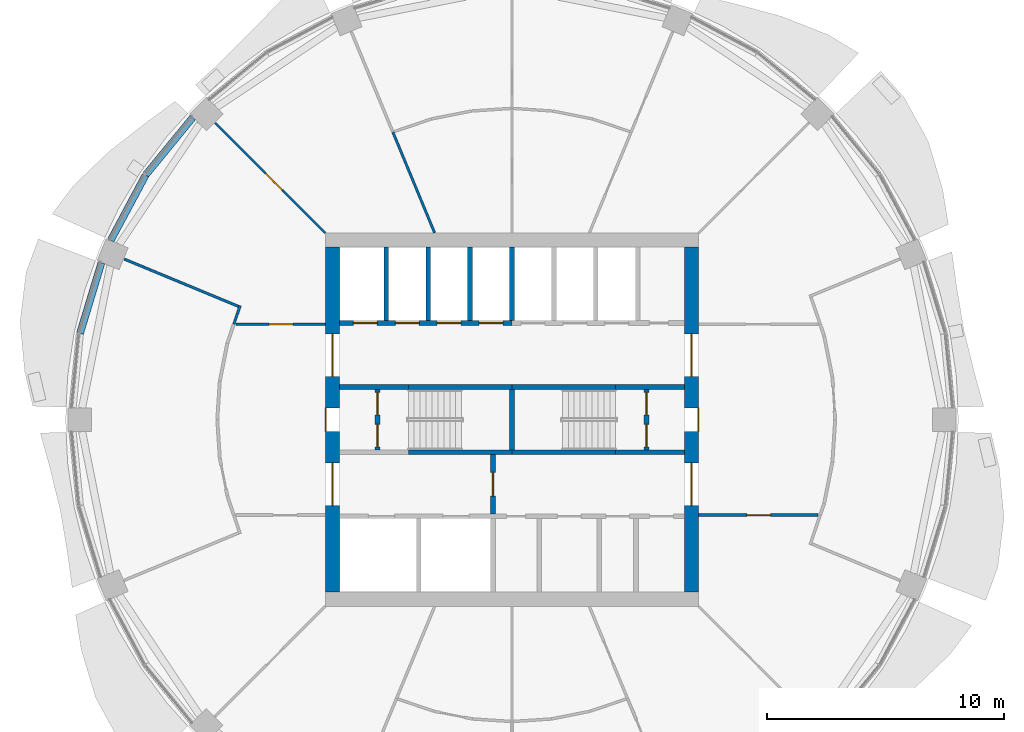
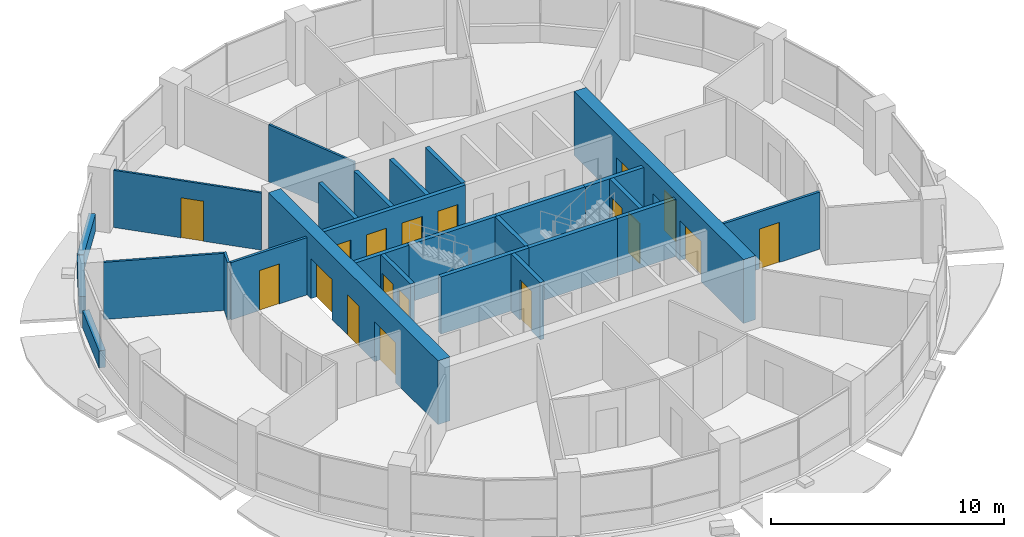
# One storey, part 9 of 15: 27 walls, 18 doors, 18 openings.
"""IFC4 building model written with IfcOpenShell, lengths in metres."""

from ifc_helpers import new_model, si_unit, direction, frame, frame_2d, origin, place, context, subcontext, project, spatial, rectangle, extrude, material, layer, layer_set, type_object, element, fill, save


model = new_model("IFC4")

# Units and contexts
model_context = context("Model", 3, precision=1e-05, world=origin(), true_north=direction((0.0, 1.0)))
body_context = subcontext(model_context, "Body", "Model", "MODEL_VIEW")
ifc_project = project(units=[si_unit("LENGTHUNIT", "METRE"), si_unit("AREAUNIT", "SQUARE_METRE"), si_unit("VOLUMEUNIT", "CUBIC_METRE"), si_unit("PLANEANGLEUNIT", "RADIAN"), si_unit("MASSUNIT", "GRAM", prefix="KILO")], contexts=[model_context])

# Site, building, storey
site_placement = place(None, origin())
site = spatial("IfcSite", under=ifc_project, at=site_placement, CompositionType="ELEMENT")
building_placement = place(site_placement, origin())
building = spatial("IfcBuilding", under=site, at=building_placement, Name="Polderwave Tower", CompositionType="ELEMENT")
storey_placement = place(building_placement, frame((0.0, 0.0, 157.800048828125)))
storey = spatial("IfcBuildingStorey", under=building, at=storey_placement, Name="L42", CompositionType="ELEMENT", Elevation=157.800048828125)

# Wall, openings, doors
ifc_material_1 = material(Name="Concrete C60/75", Category="concrete")
ifc_layer_1 = layer(ifc_material_1, 0.60009765625)
ifc_layer_set_1 = layer_set([ifc_layer_1], Name="CORE WALL 600 C60/75")
wall_type_1 = type_object("IfcWallType", Name="CORE WALL 600 C60/75", PredefinedType="SHEAR", material=ifc_layer_set_1)
wall_1_placement = place(storey_placement, frame((-7.573974609375, -7.27392578125, 0.0), z_axis=(0.0, 0.0, 1.0), x_axis=(0.0, 1.0, 0.0)))
wall_1 = element("IfcWall", 1, at=wall_1_placement, inside=storey, type_object=wall_type_1, Name="ST-CORE-L42-W", PredefinedType="SHEAR", context=body_context, shape_type="SweptSolid", body=[
    extrude(rectangle(XDim=14.5478515625, YDim=0.60009765625, at=frame_2d((7.27392578125, 0.0))), origin(), (0.0, 0.0, 1.0), 3.349853515625),
])
opening_1_placement = place(wall_1_placement, frame((6.77392578125, 0.0, 0.0)))
opening_1 = element("IfcOpeningElement", 2, at=opening_1_placement, cuts=wall_1, Name="Opening L42-D20", PredefinedType="OPENING", context=body_context, shape_type="SweptSolid", body=[
    extrude(rectangle(XDim=1.0, YDim=2.10009765625, at=frame_2d((0.5, 1.050048828125))), frame((0.0, 0.31005859375, 0.0), z_axis=(0.0, -1.0, 0.0), x_axis=(1.0, 0.0, 0.0)), (0.0, 0.0, 1.0), 0.6201171875),
])
opening_2_placement = place(wall_1_placement, frame((3.6494140625, 0.0, 0.0)))
opening_2 = element("IfcOpeningElement", 3, at=opening_2_placement, cuts=wall_1, Name="Opening L42-D21", PredefinedType="OPENING", context=body_context, shape_type="SweptSolid", body=[
    extrude(rectangle(XDim=1.800048828125, YDim=2.10009765625, at=frame_2d((0.89990234375, 1.050048828125))), frame((0.0, 0.31005859375, 0.0), z_axis=(0.0, -1.0, 0.0), x_axis=(1.0, 0.0, 0.0)), (0.0, 0.0, 1.0), 0.6201171875),
])
opening_3_placement = place(wall_1_placement, frame((9.098388671875, 0.0, 0.0)))
opening_3 = element("IfcOpeningElement", 4, at=opening_3_placement, cuts=wall_1, Name="Opening L42-D22", PredefinedType="OPENING", context=body_context, shape_type="SweptSolid", body=[
    extrude(rectangle(XDim=1.800048828125, YDim=2.10009765625, at=frame_2d((0.89990234375, 1.050048828125))), frame((0.0, 0.31005859375, 0.0), z_axis=(0.0, -1.0, 0.0), x_axis=(1.0, 0.0, 0.0)), (0.0, 0.0, 1.0), 0.6201171875),
])
ifc_material_2 = material(Name="Steel fire door", Category="steel")
door_type_1 = type_object("IfcDoorType", Name="Lobby entry door pair 1800", OperationType="DOUBLE_DOOR_SINGLE_SWING", PredefinedType="DOOR", material=ifc_material_2)
door_1_placement = place(opening_2_placement, origin())
door_1 = element("IfcDoor", 5, at=door_1_placement, inside=storey, type_object=door_type_1, Name="Fire-fighting lobby entry door", OperationType="DOUBLE_DOOR_SINGLE_SWING", OverallHeight=2.10009765625, OverallWidth=1.800048828125, PredefinedType="DOOR", context=body_context, shape_type="SweptSolid", body=[
    extrude(rectangle(XDim=1.800048828125, YDim=2.10009765625, at=frame_2d((0.89990234375, 1.050048828125))), frame((0.0, 0.02490234375, 0.0), z_axis=(0.0, -1.0, 0.0), x_axis=(1.0, 0.0, 0.0)), (0.0, 0.0, 1.0), 0.050048828125),
])
fill(opening_2, door_1)
door_2_placement = place(opening_3_placement, origin())
door_2 = element("IfcDoor", 6, at=door_2_placement, inside=storey, type_object=door_type_1, Name="North lobby entry door", OperationType="DOUBLE_DOOR_SINGLE_SWING", OverallHeight=2.10009765625, OverallWidth=1.800048828125, PredefinedType="DOOR", context=body_context, shape_type="SweptSolid", body=[
    extrude(rectangle(XDim=1.800048828125, YDim=2.10009765625, at=frame_2d((0.89990234375, 1.050048828125))), frame((0.0, 0.02490234375, 0.0), z_axis=(0.0, -1.0, 0.0), x_axis=(1.0, 0.0, 0.0)), (0.0, 0.0, 1.0), 0.050048828125),
])
fill(opening_3, door_2)
door_type_2 = type_object("IfcDoorType", Name="Stair door 1000", OperationType="NOTDEFINED", PredefinedType="DOOR", material=ifc_material_2)
door_3_placement = place(opening_1_placement, origin())
door_3 = element("IfcDoor", 7, at=door_3_placement, inside=storey, type_object=door_type_2, Name="Stair A entry door", OperationType="SINGLE_SWING_RIGHT", OverallHeight=2.10009765625, OverallWidth=1.0, PredefinedType="DOOR", context=body_context, shape_type="SweptSolid", body=[
    extrude(rectangle(XDim=1.0, YDim=2.10009765625, at=frame_2d((0.5, 1.050048828125))), frame((0.0, 0.2998046875, 0.0), z_axis=(0.0, -1.0, 0.0), x_axis=(1.0, 0.0, 0.0)), (0.0, 0.0, 1.0), 0.050048828125),
])
fill(opening_1, door_3)

wall_2_placement = place(storey_placement, frame((7.573974609375, -7.27392578125, 0.0), z_axis=(0.0, 0.0, 1.0), x_axis=(0.0, 1.0, 0.0)))
wall_2 = element("IfcWall", 8, at=wall_2_placement, inside=storey, type_object=wall_type_1, Name="ST-CORE-L42-E", PredefinedType="SHEAR", context=body_context, shape_type="SweptSolid", body=[
    extrude(rectangle(XDim=14.5478515625, YDim=0.60009765625, at=frame_2d((7.27392578125, 0.0))), origin(), (0.0, 0.0, 1.0), 3.349853515625),
])
opening_4_placement = place(wall_2_placement, frame((6.77392578125, 0.0, 0.0)))
opening_4 = element("IfcOpeningElement", 9, at=opening_4_placement, cuts=wall_2, Name="Opening L42-D23", PredefinedType="OPENING", context=body_context, shape_type="SweptSolid", body=[
    extrude(rectangle(XDim=1.0, YDim=2.10009765625, at=frame_2d((0.5, 1.050048828125))), frame((0.0, 0.31005859375, 0.0), z_axis=(0.0, -1.0, 0.0), x_axis=(1.0, 0.0, 0.0)), (0.0, 0.0, 1.0), 0.6201171875),
])
opening_5_placement = place(wall_2_placement, frame((3.6494140625, 0.0, 0.0)))
opening_5 = element("IfcOpeningElement", 10, at=opening_5_placement, cuts=wall_2, Name="Opening L42-D24", PredefinedType="OPENING", context=body_context, shape_type="SweptSolid", body=[
    extrude(rectangle(XDim=1.800048828125, YDim=2.10009765625, at=frame_2d((0.89990234375, 1.050048828125))), frame((0.0, 0.31005859375, 0.0), z_axis=(0.0, -1.0, 0.0), x_axis=(1.0, 0.0, 0.0)), (0.0, 0.0, 1.0), 0.6201171875),
])
opening_6_placement = place(wall_2_placement, frame((9.098388671875, 0.0, 0.0)))
opening_6 = element("IfcOpeningElement", 11, at=opening_6_placement, cuts=wall_2, Name="Opening L42-D25", PredefinedType="OPENING", context=body_context, shape_type="SweptSolid", body=[
    extrude(rectangle(XDim=1.800048828125, YDim=2.10009765625, at=frame_2d((0.89990234375, 1.050048828125))), frame((0.0, 0.31005859375, 0.0), z_axis=(0.0, -1.0, 0.0), x_axis=(1.0, 0.0, 0.0)), (0.0, 0.0, 1.0), 0.6201171875),
])
door_4_placement = place(opening_5_placement, frame((1.800048828125, 0.0, 0.0), z_axis=(0.0, 0.0, 1.0), x_axis=(-1.0, 0.0, 0.0)))
door_4 = element("IfcDoor", 12, at=door_4_placement, inside=storey, type_object=door_type_1, Name="South lobby entry door", OperationType="DOUBLE_DOOR_SINGLE_SWING", OverallHeight=2.10009765625, OverallWidth=1.800048828125, PredefinedType="DOOR", context=body_context, shape_type="SweptSolid", body=[
    extrude(rectangle(XDim=1.800048828125, YDim=2.10009765625, at=frame_2d((0.89990234375, 1.050048828125))), frame((0.0, 0.02490234375, 0.0), z_axis=(0.0, -1.0, 0.0), x_axis=(1.0, 0.0, 0.0)), (0.0, 0.0, 1.0), 0.050048828125),
])
fill(opening_5, door_4)
door_5_placement = place(opening_6_placement, frame((1.800048828125, 0.0, 0.0), z_axis=(0.0, 0.0, 1.0), x_axis=(-1.0, 0.0, 0.0)))
door_5 = element("IfcDoor", 13, at=door_5_placement, inside=storey, type_object=door_type_1, Name="North lobby entry door", OperationType="DOUBLE_DOOR_SINGLE_SWING", OverallHeight=2.10009765625, OverallWidth=1.800048828125, PredefinedType="DOOR", context=body_context, shape_type="SweptSolid", body=[
    extrude(rectangle(XDim=1.800048828125, YDim=2.10009765625, at=frame_2d((0.89990234375, 1.050048828125))), frame((0.0, 0.02490234375, 0.0), z_axis=(0.0, -1.0, 0.0), x_axis=(1.0, 0.0, 0.0)), (0.0, 0.0, 1.0), 0.050048828125),
])
fill(opening_6, door_5)
door_6_placement = place(opening_4_placement, frame((1.0, 0.0, 0.0), z_axis=(0.0, 0.0, 1.0), x_axis=(-1.0, 0.0, 0.0)))
door_6 = element("IfcDoor", 14, at=door_6_placement, inside=storey, type_object=door_type_2, Name="Stair B entry door", OperationType="SINGLE_SWING_LEFT", OverallHeight=2.10009765625, OverallWidth=1.0, PredefinedType="DOOR", context=body_context, shape_type="SweptSolid", body=[
    extrude(rectangle(XDim=1.0, YDim=2.10009765625, at=frame_2d((0.5, 1.050048828125))), frame((0.0, 0.2998046875, 0.0), z_axis=(0.0, -1.0, 0.0), x_axis=(1.0, 0.0, 0.0)), (0.0, 0.0, 1.0), 0.050048828125),
])
fill(opening_4, door_6)

# Walls
ifc_material_3 = material(Name="Concrete C50/60 (board-marked)", Category="concrete")
ifc_layer_2 = layer(ifc_material_3, 0.300048828125)
ifc_layer_set_2 = layer_set([ifc_layer_2], Name="Concrete spandrel upstand C50/60")
wall_type_2 = type_object("IfcWallType", Name="Concrete spandrel upstand C50/60", PredefinedType="SOLIDWALL", material=ifc_layer_set_2)
wall_3_placement = place(storey_placement, frame((-13.465576171875, 12.739501953125, 0.0), z_axis=(0.0, 0.0, 1.0), x_axis=(-0.634074896441, -0.773271637721, 0.0)))
element("IfcWall", 15, at=wall_3_placement, inside=storey, type_object=wall_type_2, Name="Spandrel L42 7a", PredefinedType="SOLIDWALL", context=body_context, shape_type="SweptSolid", body=[
    extrude(rectangle(XDim=3.111572265625, YDim=0.300048828125, at=frame_2d((1.5556640625, 0.0))), origin(), (0.0, 0.0, 1.0), 0.89990234375),
])
wall_4_placement = place(storey_placement, frame((-15.455078125, 10.308837890625, 0.0), z_axis=(0.0, 0.0, 1.0), x_axis=(-0.471467771589, -0.881883291798, 0.0)))
element("IfcWall", 16, at=wall_4_placement, inside=storey, type_object=wall_type_2, Name="Spandrel L42 7b", PredefinedType="SOLIDWALL", context=body_context, shape_type="SweptSolid", body=[
    extrude(rectangle(XDim=3.111083984375, YDim=0.300048828125, at=frame_2d((1.5556640625, 0.0))), origin(), (0.0, 0.0, 1.0), 0.89990234375),
])
wall_5_placement = place(storey_placement, frame((-17.3154296875, 6.61669921875, 0.0), z_axis=(0.0, 0.0, 1.0), x_axis=(-0.29026219948, -0.956947154002, 0.0)))
element("IfcWall", 17, at=wall_5_placement, inside=storey, type_object=wall_type_2, Name="Spandrel L42 8a", PredefinedType="SOLIDWALL", context=body_context, shape_type="SweptSolid", body=[
    extrude(rectangle(XDim=3.111328125, YDim=0.300048828125, at=frame_2d((1.5556640625, 0.0))), origin(), (0.0, 0.0, 1.0), 0.89990234375),
])

# Wall, opening, door
ifc_material_4 = material(Name="Gypsum board partition")
ifc_layer_3 = layer(ifc_material_4, 0.199951171875)
ifc_layer_set_3 = layer_set([ifc_layer_3], Name="Core room partition 200")
wall_type_3 = type_object("IfcWallType", Name="Core room partition 200", PredefinedType="PARTITIONING", material=ifc_layer_set_3)
wall_6_placement = place(storey_placement, frame((-0.800048828125, -3.97412109375, 0.0), z_axis=(0.0, 0.0, 1.0), x_axis=(0.0, 1.0, 0.0)))
wall_6 = element("IfcWall", 18, at=wall_6_placement, inside=storey, type_object=wall_type_3, Name="L42 fire-fighting lobby wall", PredefinedType="PARTITIONING", context=body_context, shape_type="SweptSolid", body=[
    extrude(rectangle(XDim=2.4990234375, YDim=0.199951171875, at=frame_2d((1.24951171875, 0.0))), origin(), (0.0, 0.0, 1.0), 3.0),
])
opening_7_placement = place(wall_6_placement, frame((0.74951171875, 0.0, 0.0)))
opening_7 = element("IfcOpeningElement", 19, at=opening_7_placement, cuts=wall_6, Name="Opening L42-D14", PredefinedType="OPENING", context=body_context, shape_type="SweptSolid", body=[
    extrude(rectangle(XDim=1.0, YDim=2.10009765625, at=frame_2d((0.5, 1.050048828125))), frame((0.0, 0.10986328125, 0.0), z_axis=(0.0, -1.0, 0.0), x_axis=(1.0, 0.0, 0.0)), (0.0, 0.0, 1.0), 0.219970703125),
])
door_type_3 = type_object("IfcDoorType", Name="Lobby fire door 1000", OperationType="NOTDEFINED", PredefinedType="DOOR", material=ifc_material_2)
door_7_placement = place(opening_7_placement, frame((1.0, 0.0, 0.0), z_axis=(0.0, 0.0, 1.0), x_axis=(-1.0, 0.0, 0.0)))
door_7 = element("IfcDoor", 20, at=door_7_placement, inside=storey, type_object=door_type_3, Name="Fire-fighting lobby door", OperationType="SINGLE_SWING_LEFT", OverallHeight=2.10009765625, OverallWidth=1.0, PredefinedType="DOOR", context=body_context, shape_type="SweptSolid", body=[
    extrude(rectangle(XDim=1.0, YDim=2.10009765625, at=frame_2d((0.5, 1.050048828125))), frame((0.0, 0.02490234375, 0.0), z_axis=(0.0, -1.0, 0.0), x_axis=(1.0, 0.0, 0.0)), (0.0, 0.0, 1.0), 0.050048828125),
])
fill(opening_7, door_7)

# Wall, openings, doors
wall_7_placement = place(storey_placement, frame((-5.674072265625, -1.27490234375, 0.0), z_axis=(0.0, 0.0, 1.0), x_axis=(0.0, 1.0, 0.0)))
wall_7 = element("IfcWall", 21, at=wall_7_placement, inside=storey, type_object=wall_type_3, Name="L42 smoke lobby wall A", PredefinedType="PARTITIONING", context=body_context, shape_type="SweptSolid", body=[
    extrude(rectangle(XDim=2.5498046875, YDim=0.199951171875, at=frame_2d((1.27490234375, 0.0))), origin(), (0.0, 0.0, 1.0), 3.0),
])
opening_8_placement = place(wall_7_placement, frame((0.125, 0.0, 0.0)))
opening_8 = element("IfcOpeningElement", 22, at=opening_8_placement, cuts=wall_7, Name="Opening L42-D10", PredefinedType="OPENING", context=body_context, shape_type="SweptSolid", body=[
    extrude(rectangle(XDim=0.949951171875, YDim=2.10009765625, at=frame_2d((0.47509765625, 1.050048828125))), frame((0.0, 0.10986328125, 0.0), z_axis=(0.0, -1.0, 0.0), x_axis=(1.0, 0.0, 0.0)), (0.0, 0.0, 1.0), 0.219970703125),
])
opening_9_placement = place(wall_7_placement, frame((1.47509765625, 0.0, 0.0)))
opening_9 = element("IfcOpeningElement", 23, at=opening_9_placement, cuts=wall_7, Name="Opening L42-D11", PredefinedType="OPENING", context=body_context, shape_type="SweptSolid", body=[
    extrude(rectangle(XDim=0.949951171875, YDim=2.10009765625, at=frame_2d((0.47509765625, 1.050048828125))), frame((0.0, 0.10986328125, 0.0), z_axis=(0.0, -1.0, 0.0), x_axis=(1.0, 0.0, 0.0)), (0.0, 0.0, 1.0), 0.219970703125),
])
door_type_4 = type_object("IfcDoorType", Name="Smoke lobby door 950", OperationType="NOTDEFINED", PredefinedType="DOOR", material=ifc_material_2)
door_8_placement = place(opening_8_placement, origin())
door_8 = element("IfcDoor", 24, at=door_8_placement, inside=storey, type_object=door_type_4, Name="Stair A smoke lobby inner door", OperationType="SINGLE_SWING_LEFT", OverallHeight=2.10009765625, OverallWidth=0.949951171875, PredefinedType="DOOR", context=body_context, shape_type="SweptSolid", body=[
    extrude(rectangle(XDim=0.949951171875, YDim=2.10009765625, at=frame_2d((0.47509765625, 1.050048828125))), frame((0.0, 0.02490234375, 0.0), z_axis=(0.0, -1.0, 0.0), x_axis=(1.0, 0.0, 0.0)), (0.0, 0.0, 1.0), 0.050048828125),
])
fill(opening_8, door_8)
door_9_placement = place(opening_9_placement, origin())
door_9 = element("IfcDoor", 25, at=door_9_placement, inside=storey, type_object=door_type_4, Name="Stair A smoke lobby inner door", OperationType="SINGLE_SWING_RIGHT", OverallHeight=2.10009765625, OverallWidth=0.949951171875, PredefinedType="DOOR", context=body_context, shape_type="SweptSolid", body=[
    extrude(rectangle(XDim=0.949951171875, YDim=2.10009765625, at=frame_2d((0.47509765625, 1.050048828125))), frame((0.0, 0.02490234375, 0.0), z_axis=(0.0, -1.0, 0.0), x_axis=(1.0, 0.0, 0.0)), (0.0, 0.0, 1.0), 0.050048828125),
])
fill(opening_9, door_9)

wall_8_placement = place(storey_placement, frame((5.674072265625, -1.27490234375, 0.0), z_axis=(0.0, 0.0, 1.0), x_axis=(0.0, 1.0, 0.0)))
wall_8 = element("IfcWall", 26, at=wall_8_placement, inside=storey, type_object=wall_type_3, Name="L42 smoke lobby wall B", PredefinedType="PARTITIONING", context=body_context, shape_type="SweptSolid", body=[
    extrude(rectangle(XDim=2.5498046875, YDim=0.199951171875, at=frame_2d((1.27490234375, 0.0))), origin(), (0.0, 0.0, 1.0), 3.0),
])
opening_10_placement = place(wall_8_placement, frame((0.125, 0.0, 0.0)))
opening_10 = element("IfcOpeningElement", 27, at=opening_10_placement, cuts=wall_8, Name="Opening L42-D12", PredefinedType="OPENING", context=body_context, shape_type="SweptSolid", body=[
    extrude(rectangle(XDim=0.949951171875, YDim=2.10009765625, at=frame_2d((0.47509765625, 1.050048828125))), frame((0.0, 0.10986328125, 0.0), z_axis=(0.0, -1.0, 0.0), x_axis=(1.0, 0.0, 0.0)), (0.0, 0.0, 1.0), 0.219970703125),
])
opening_11_placement = place(wall_8_placement, frame((1.47509765625, 0.0, 0.0)))
opening_11 = element("IfcOpeningElement", 28, at=opening_11_placement, cuts=wall_8, Name="Opening L42-D13", PredefinedType="OPENING", context=body_context, shape_type="SweptSolid", body=[
    extrude(rectangle(XDim=0.949951171875, YDim=2.10009765625, at=frame_2d((0.47509765625, 1.050048828125))), frame((0.0, 0.10986328125, 0.0), z_axis=(0.0, -1.0, 0.0), x_axis=(1.0, 0.0, 0.0)), (0.0, 0.0, 1.0), 0.219970703125),
])
door_10_placement = place(opening_10_placement, frame((0.949951171875, 0.0, 0.0), z_axis=(0.0, 0.0, 1.0), x_axis=(-1.0, 0.0, 0.0)))
door_10 = element("IfcDoor", 29, at=door_10_placement, inside=storey, type_object=door_type_4, Name="Stair B smoke lobby inner door", OperationType="SINGLE_SWING_RIGHT", OverallHeight=2.10009765625, OverallWidth=0.949951171875, PredefinedType="DOOR", context=body_context, shape_type="SweptSolid", body=[
    extrude(rectangle(XDim=0.949951171875, YDim=2.10009765625, at=frame_2d((0.47509765625, 1.050048828125))), frame((0.0, 0.02490234375, 0.0), z_axis=(0.0, -1.0, 0.0), x_axis=(1.0, 0.0, 0.0)), (0.0, 0.0, 1.0), 0.050048828125),
])
fill(opening_10, door_10)
door_11_placement = place(opening_11_placement, frame((0.949951171875, 0.0, 0.0), z_axis=(0.0, 0.0, 1.0), x_axis=(-1.0, 0.0, 0.0)))
door_11 = element("IfcDoor", 30, at=door_11_placement, inside=storey, type_object=door_type_4, Name="Stair B smoke lobby inner door", OperationType="SINGLE_SWING_LEFT", OverallHeight=2.10009765625, OverallWidth=0.949951171875, PredefinedType="DOOR", context=body_context, shape_type="SweptSolid", body=[
    extrude(rectangle(XDim=0.949951171875, YDim=2.10009765625, at=frame_2d((0.47509765625, 1.050048828125))), frame((0.0, 0.02490234375, 0.0), z_axis=(0.0, -1.0, 0.0), x_axis=(1.0, 0.0, 0.0)), (0.0, 0.0, 1.0), 0.050048828125),
])
fill(opening_11, door_11)

ifc_material_5 = material(Name="Concrete C50/60", Category="concrete")
ifc_layer_4 = layer(ifc_material_5, 0.199951171875)
ifc_layer_set_4 = layer_set([ifc_layer_4], Name="Core web wall 200")
wall_type_4 = type_object("IfcWallType", Name="Core web wall 200", PredefinedType="SHEAR", material=ifc_layer_set_4)
wall_9_placement = place(storey_placement, frame((-7.27392578125, 4.073974609375, 0.0), z_axis=(0.0, 0.0, 1.0), x_axis=(1.0, 0.0, 0.0)))
wall_9 = element("IfcWall", 31, at=wall_9_placement, inside=storey, type_object=wall_type_4, Name="L42 north front wall 1", PredefinedType="SHEAR", context=body_context, shape_type="SweptSolid", body=[
    extrude(rectangle(XDim=7.27392578125, YDim=0.199951171875, at=frame_2d((3.636962890625, 0.0))), origin(), (0.0, 0.0, 1.0), 3.0),
])
opening_12_placement = place(wall_9_placement, frame((0.584228515625, 0.0, 0.0)))
opening_12 = element("IfcOpeningElement", 32, at=opening_12_placement, cuts=wall_9, Name="Opening L42-D03", PredefinedType="OPENING", context=body_context, shape_type="SweptSolid", body=[
    extrude(rectangle(XDim=1.0, YDim=2.10009765625, at=frame_2d((0.5, 1.050048828125))), frame((0.0, 0.10986328125, 0.0), z_axis=(0.0, -1.0, 0.0), x_axis=(1.0, 0.0, 0.0)), (0.0, 0.0, 1.0), 0.219970703125),
])
opening_13_placement = place(wall_9_placement, frame((2.352783203125, 0.0, 0.0)))
opening_13 = element("IfcOpeningElement", 33, at=opening_13_placement, cuts=wall_9, Name="Opening L42-D04", PredefinedType="OPENING", context=body_context, shape_type="SweptSolid", body=[
    extrude(rectangle(XDim=1.0, YDim=2.10009765625, at=frame_2d((0.5, 1.050048828125))), frame((0.0, 0.10986328125, 0.0), z_axis=(0.0, -1.0, 0.0), x_axis=(1.0, 0.0, 0.0)), (0.0, 0.0, 1.0), 0.219970703125),
])
opening_14_placement = place(wall_9_placement, frame((4.12109375, 0.0, 0.0)))
opening_14 = element("IfcOpeningElement", 34, at=opening_14_placement, cuts=wall_9, Name="Opening L42-D05", PredefinedType="OPENING", context=body_context, shape_type="SweptSolid", body=[
    extrude(rectangle(XDim=1.0, YDim=2.10009765625, at=frame_2d((0.5, 1.050048828125))), frame((0.0, 0.10986328125, 0.0), z_axis=(0.0, -1.0, 0.0), x_axis=(1.0, 0.0, 0.0)), (0.0, 0.0, 1.0), 0.219970703125),
])
opening_15_placement = place(wall_9_placement, frame((5.889892578125, 0.0, 0.0)))
opening_15 = element("IfcOpeningElement", 35, at=opening_15_placement, cuts=wall_9, Name="Opening L42-D06", PredefinedType="OPENING", context=body_context, shape_type="SweptSolid", body=[
    extrude(rectangle(XDim=1.0, YDim=2.10009765625, at=frame_2d((0.5, 1.050048828125))), frame((0.0, 0.10986328125, 0.0), z_axis=(0.0, -1.0, 0.0), x_axis=(1.0, 0.0, 0.0)), (0.0, 0.0, 1.0), 0.219970703125),
])
ifc_material_6 = material(Name="Stainless steel", Category="steel")
door_type_5 = type_object("IfcDoorType", Name="Lift landing door 1000", OperationType="DOUBLE_DOOR_SLIDING", PredefinedType="DOOR", material=ifc_material_6)
door_12_placement = place(opening_12_placement, frame((1.0, 0.0, 0.0), z_axis=(0.0, 0.0, 1.0), x_axis=(-1.0, 0.0, 0.0)))
door_12 = element("IfcDoor", 36, at=door_12_placement, inside=storey, type_object=door_type_5, Name="Lift HL1 landing door", OperationType="DOUBLE_DOOR_SLIDING", OverallHeight=2.10009765625, OverallWidth=1.0, PredefinedType="DOOR", context=body_context, shape_type="SweptSolid", body=[
    extrude(rectangle(XDim=1.0, YDim=2.10009765625, at=frame_2d((0.5, 1.050048828125))), frame((0.0, 0.02490234375, 0.0), z_axis=(0.0, -1.0, 0.0), x_axis=(1.0, 0.0, 0.0)), (0.0, 0.0, 1.0), 0.050048828125),
])
fill(opening_12, door_12)
door_13_placement = place(opening_13_placement, frame((1.0, 0.0, 0.0), z_axis=(0.0, 0.0, 1.0), x_axis=(-1.0, 0.0, 0.0)))
door_13 = element("IfcDoor", 37, at=door_13_placement, inside=storey, type_object=door_type_5, Name="Lift HL2 landing door", OperationType="DOUBLE_DOOR_SLIDING", OverallHeight=2.10009765625, OverallWidth=1.0, PredefinedType="DOOR", context=body_context, shape_type="SweptSolid", body=[
    extrude(rectangle(XDim=1.0, YDim=2.10009765625, at=frame_2d((0.5, 1.050048828125))), frame((0.0, 0.02490234375, 0.0), z_axis=(0.0, -1.0, 0.0), x_axis=(1.0, 0.0, 0.0)), (0.0, 0.0, 1.0), 0.050048828125),
])
fill(opening_13, door_13)
door_14_placement = place(opening_14_placement, frame((1.0, 0.0, 0.0), z_axis=(0.0, 0.0, 1.0), x_axis=(-1.0, 0.0, 0.0)))
door_14 = element("IfcDoor", 38, at=door_14_placement, inside=storey, type_object=door_type_5, Name="Lift HL3 landing door", OperationType="DOUBLE_DOOR_SLIDING", OverallHeight=2.10009765625, OverallWidth=1.0, PredefinedType="DOOR", context=body_context, shape_type="SweptSolid", body=[
    extrude(rectangle(XDim=1.0, YDim=2.10009765625, at=frame_2d((0.5, 1.050048828125))), frame((0.0, 0.02490234375, 0.0), z_axis=(0.0, -1.0, 0.0), x_axis=(1.0, 0.0, 0.0)), (0.0, 0.0, 1.0), 0.050048828125),
])
fill(opening_14, door_14)
door_15_placement = place(opening_15_placement, frame((1.0, 0.0, 0.0), z_axis=(0.0, 0.0, 1.0), x_axis=(-1.0, 0.0, 0.0)))
door_15 = element("IfcDoor", 39, at=door_15_placement, inside=storey, type_object=door_type_5, Name="Lift HL4 landing door", OperationType="DOUBLE_DOOR_SLIDING", OverallHeight=2.10009765625, OverallWidth=1.0, PredefinedType="DOOR", context=body_context, shape_type="SweptSolid", body=[
    extrude(rectangle(XDim=1.0, YDim=2.10009765625, at=frame_2d((0.5, 1.050048828125))), frame((0.0, 0.02490234375, 0.0), z_axis=(0.0, -1.0, 0.0), x_axis=(1.0, 0.0, 0.0)), (0.0, 0.0, 1.0), 0.050048828125),
])
fill(opening_15, door_15)

# Walls
for number, where, z_axis, x_axis, name in (
    (40, (-4.3740234375, -1.375, 0.0), (0.0, 0.0, 1.0), (1.0, 0.0, 0.0), "L42 south stair wall 2"),
    (41, (0.0, -1.375, 0.0), (0.0, 0.0, 1.0), (1.0, 0.0, 0.0), "L42 south stair wall 3"),
):
    element("IfcWall", number, at=place(storey_placement, frame(where, z_axis=z_axis, x_axis=x_axis)), inside=storey, type_object=wall_type_4, Name=name, PredefinedType="SHEAR", context=body_context, shape_type="SweptSolid", body=[
        extrude(rectangle(XDim=4.3740234375, YDim=0.199951171875, at=frame_2d((2.18701171875, 0.0))), origin(), (0.0, 0.0, 1.0), 3.0),
    ])
for number, where, z_axis, x_axis, name in (
    (42, (4.3740234375, -1.375, 0.0), (0.0, 0.0, 1.0), (1.0, 0.0, 0.0), "L42 south stair wall 4"),
    (43, (-7.27392578125, 1.375, 0.0), (0.0, 0.0, 1.0), (1.0, 0.0, 0.0), "L42 north stair wall 1"),
):
    element("IfcWall", number, at=place(storey_placement, frame(where, z_axis=z_axis, x_axis=x_axis)), inside=storey, type_object=wall_type_4, Name=name, PredefinedType="SHEAR", context=body_context, shape_type="SweptSolid", body=[
        extrude(rectangle(XDim=2.89990234375, YDim=0.199951171875, at=frame_2d((1.449951171875, 0.0))), origin(), (0.0, 0.0, 1.0), 3.0),
    ])
for number, where, z_axis, x_axis, name in (
    (44, (-4.3740234375, 1.375, 0.0), (0.0, 0.0, 1.0), (1.0, 0.0, 0.0), "L42 north stair wall 2"),
    (45, (0.0, 1.375, 0.0), (0.0, 0.0, 1.0), (1.0, 0.0, 0.0), "L42 north stair wall 3"),
):
    element("IfcWall", number, at=place(storey_placement, frame(where, z_axis=z_axis, x_axis=x_axis)), inside=storey, type_object=wall_type_4, Name=name, PredefinedType="SHEAR", context=body_context, shape_type="SweptSolid", body=[
        extrude(rectangle(XDim=4.3740234375, YDim=0.199951171875, at=frame_2d((2.18701171875, 0.0))), origin(), (0.0, 0.0, 1.0), 3.0),
    ])
wall_10_placement = place(storey_placement, frame((4.3740234375, 1.375, 0.0), z_axis=(0.0, 0.0, 1.0), x_axis=(1.0, 0.0, 0.0)))
element("IfcWall", 46, at=wall_10_placement, inside=storey, type_object=wall_type_4, Name="L42 north stair wall 4", PredefinedType="SHEAR", context=body_context, shape_type="SweptSolid", body=[
    extrude(rectangle(XDim=2.89990234375, YDim=0.199951171875, at=frame_2d((1.449951171875, 0.0))), origin(), (0.0, 0.0, 1.0), 3.0),
])
wall_11_placement = place(storey_placement, frame((0.0, -1.27490234375, 0.0), z_axis=(0.0, 0.0, 1.0), x_axis=(0.0, 1.0, 0.0)))
element("IfcWall", 47, at=wall_11_placement, inside=storey, type_object=wall_type_4, Name="L42 wall between the stairs", PredefinedType="SHEAR", context=body_context, shape_type="SweptSolid", body=[
    extrude(rectangle(XDim=2.5498046875, YDim=0.199951171875, at=frame_2d((1.27490234375, 0.0))), origin(), (0.0, 0.0, 1.0), 3.0),
])

# Wall, opening, door
ifc_material_7 = material(Name="Fire-resisting board on steel studs", Category="steel")
ifc_layer_5 = layer(ifc_material_7, 0.125)
ifc_layer_set_5 = layer_set([ifc_layer_5], Name="Corridor wall 125 mm EI 60")
wall_type_5 = type_object("IfcWallType", Name="Corridor wall 125 mm EI 60", PredefinedType="PARTITIONING", material=ifc_layer_set_5)
wall_12_placement = place(storey_placement, frame((12.90966796875, -4.0244140625, 0.0), z_axis=(0.0, 0.0, 1.0), x_axis=(-1.0, 0.0, 0.0)))
wall_12 = element("IfcWall", 48, at=wall_12_placement, inside=storey, type_object=wall_type_5, Name="IN-L42-W008", PredefinedType="PARTITIONING", context=body_context, shape_type="SweptSolid", body=[
    extrude(rectangle(XDim=5.03564453125, YDim=0.125, at=frame_2d((2.517822265625, 0.0))), origin(), (0.0, 0.0, 1.0), 3.0),
])
opening_16_placement = place(wall_12_placement, frame((2.0, 0.0, 0.0)))
opening_16 = element("IfcOpeningElement", 49, at=opening_16_placement, cuts=wall_12, Name="Opening L42-D52", PredefinedType="OPENING", context=body_context, shape_type="SweptSolid", body=[
    extrude(rectangle(XDim=1.0, YDim=2.10009765625, at=frame_2d((0.5, 1.050048828125))), frame((0.0, 0.072509765625, 0.0), z_axis=(0.0, -1.0, 0.0), x_axis=(1.0, 0.0, 0.0)), (0.0, 0.0, 1.0), 0.14501953125),
])
ifc_material_8 = material(Name="Timber fire door leaf", Category="wood")
door_type_6 = type_object("IfcDoorType", Name="Fire door FD30S 1000 x 2100", OperationType="NOTDEFINED", PredefinedType="DOOR", material=ifc_material_8)
door_16_placement = place(opening_16_placement, origin())
door_16 = element("IfcDoor", 50, at=door_16_placement, inside=storey, type_object=door_type_6, Name="Door L42-D52", OperationType="SINGLE_SWING_LEFT", OverallHeight=2.10009765625, OverallWidth=1.0, PredefinedType="DOOR", context=body_context, shape_type="SweptSolid", body=[
    extrude(rectangle(XDim=1.0, YDim=2.10009765625, at=frame_2d((0.5, 1.050048828125))), frame((0.0, 0.02490234375, 0.0), z_axis=(0.0, -1.0, 0.0), x_axis=(1.0, 0.0, 0.0)), (0.0, 0.0, 1.0), 0.050048828125),
])
fill(opening_16, door_16)

wall_13_placement = place(storey_placement, frame((-11.645263671875, 4.0244140625, 0.0), z_axis=(0.0, 0.0, 1.0), x_axis=(1.0, 0.0, 0.0)))
wall_13 = element("IfcWall", 51, at=wall_13_placement, inside=storey, type_object=wall_type_5, Name="IN-L42-W009", PredefinedType="PARTITIONING", context=body_context, shape_type="SweptSolid", body=[
    extrude(rectangle(XDim=3.771240234375, YDim=0.125, at=frame_2d((1.8857421875, 0.0))), origin(), (0.0, 0.0, 1.0), 3.0),
])
opening_17_placement = place(wall_13_placement, frame((1.39990234375, 0.0, 0.0)))
opening_17 = element("IfcOpeningElement", 52, at=opening_17_placement, cuts=wall_13, Name="Opening L42-D53", PredefinedType="OPENING", context=body_context, shape_type="SweptSolid", body=[
    extrude(rectangle(XDim=1.0, YDim=2.10009765625, at=frame_2d((0.5, 1.050048828125))), frame((0.0, 0.072509765625, 0.0), z_axis=(0.0, -1.0, 0.0), x_axis=(1.0, 0.0, 0.0)), (0.0, 0.0, 1.0), 0.14501953125),
])
door_17_placement = place(opening_17_placement, origin())
door_17 = element("IfcDoor", 53, at=door_17_placement, inside=storey, type_object=door_type_6, Name="Door L42-D53", OperationType="SINGLE_SWING_RIGHT", OverallHeight=2.10009765625, OverallWidth=1.0, PredefinedType="DOOR", context=body_context, shape_type="SweptSolid", body=[
    extrude(rectangle(XDim=1.0, YDim=2.10009765625, at=frame_2d((0.5, 1.050048828125))), frame((0.0, 0.02490234375, 0.0), z_axis=(0.0, -1.0, 0.0), x_axis=(1.0, 0.0, 0.0)), (0.0, 0.0, 1.0), 0.050048828125),
])
fill(opening_17, door_17)

ifc_material_9 = material(Name="Plasterboard on steel studs", Category="steel")
ifc_layer_6 = layer(ifc_material_9, 0.10009765625)
ifc_layer_set_6 = layer_set([ifc_layer_6], Name="Partition 100 mm plasterboard on steel studs")
wall_type_6 = type_object("IfcWallType", Name="Partition 100 mm plasterboard on steel studs", PredefinedType="PARTITIONING", material=ifc_layer_set_6)
wall_14_placement = place(storey_placement, frame((-12.515869140625, 12.515869140625, 0.0), z_axis=(0.0, 0.0, 1.0), x_axis=(0.707106781187, -0.707106781187, 0.0)))
wall_14 = element("IfcWall", 54, at=wall_14_placement, inside=storey, type_object=wall_type_6, Name="IN-L42-W034", PredefinedType="PARTITIONING", context=body_context, shape_type="SweptSolid", body=[
    extrude(rectangle(XDim=6.564453125, YDim=0.10009765625, at=frame_2d((3.2822265625, 0.0))), origin(), (0.0, 0.0, 1.0), 3.0),
])
opening_18_placement = place(wall_14_placement, frame((3.0, 0.0, 0.0)))
opening_18 = element("IfcOpeningElement", 55, at=opening_18_placement, cuts=wall_14, Name="Opening L42-D61", PredefinedType="OPENING", context=body_context, shape_type="SweptSolid", body=[
    extrude(rectangle(XDim=1.0, YDim=2.10009765625, at=frame_2d((0.5, 1.050048828125))), frame((0.0, 0.06005859375, 0.0), z_axis=(0.0, -1.0, 0.0), x_axis=(1.0, 0.0, 0.0)), (0.0, 0.0, 1.0), 0.1201171875),
])
ifc_material_10 = material(Name="Timber veneer door leaf", Category="wood")
door_type_7 = type_object("IfcDoorType", Name="Single door 1000 x 2100", OperationType="NOTDEFINED", PredefinedType="DOOR", material=ifc_material_10)
door_18_placement = place(opening_18_placement, origin())
door_18 = element("IfcDoor", 56, at=door_18_placement, inside=storey, type_object=door_type_7, Name="Door L42-D61", OperationType="SINGLE_SWING_RIGHT", OverallHeight=2.10009765625, OverallWidth=1.0, PredefinedType="DOOR", context=body_context, shape_type="SweptSolid", body=[
    extrude(rectangle(XDim=1.0, YDim=2.10009765625, at=frame_2d((0.5, 1.050048828125))), frame((0.0, 0.02490234375, 0.0), z_axis=(0.0, -1.0, 0.0), x_axis=(1.0, 0.0, 0.0)), (0.0, 0.0, 1.0), 0.050048828125),
])
fill(opening_18, door_18)

# Walls
ifc_material_11 = material(Name="Moisture-resistant board on steel studs, tiled", Category="steel")
ifc_layer_7 = layer(ifc_material_11, 0.10498046875)
ifc_layer_set_7 = layer_set([ifc_layer_7], Name="Partition 105 mm wet room board and tile")
wall_type_7 = type_object("IfcWallType", Name="Partition 105 mm wet room board and tile", PredefinedType="PARTITIONING", material=ifc_layer_set_7)
wall_15_placement = place(storey_placement, frame((-3.261474609375, 7.8740234375, 0.0), z_axis=(0.0, 0.0, 1.0), x_axis=(-0.382691869474, 0.923876037701, 0.0)))
element("IfcWall", 57, at=wall_15_placement, inside=storey, type_object=wall_type_7, Name="IN-L42-W032", PredefinedType="PARTITIONING", context=body_context, shape_type="SweptSolid", body=[
    extrude(rectangle(XDim=4.607421875, YDim=0.10498046875, at=frame_2d((2.3037109375, 0.0))), origin(), (0.0, 0.0, 1.0), 3.0),
])
ifc_material_12 = material(Name="Acoustic double plasterboard on steel studs", Category="steel")
ifc_layer_8 = layer(ifc_material_12, 0.110107421875)
ifc_layer_set_8 = layer_set([ifc_layer_8], Name="Partition 110 mm acoustic double board")
wall_type_8 = type_object("IfcWallType", Name="Partition 110 mm acoustic double board", PredefinedType="PARTITIONING", material=ifc_layer_set_8)
wall_16_placement = place(storey_placement, frame((-11.732421875, 4.0244140625, 0.0), z_axis=(0.0, 0.0, 1.0), x_axis=(0.321527585288, 0.946900212218, 0.0)))
element("IfcWall", 58, at=wall_16_placement, inside=storey, type_object=wall_type_8, Name="IN-L42-W035", PredefinedType="PARTITIONING", context=body_context, shape_type="SweptSolid", body=[
    extrude(rectangle(XDim=0.828369140625, YDim=0.110107421875, at=frame_2d((0.4140625, 0.0))), origin(), (0.0, 0.0, 1.0), 3.0),
])
wall_17_placement = place(storey_placement, frame((-11.5380859375, 4.779296875, 0.0), z_axis=(0.0, 0.0, 1.0), x_axis=(-0.923891220199, 0.382655214572, 0.0)))
element("IfcWall", 59, at=wall_17_placement, inside=storey, type_object=wall_type_8, Name="IN-L42-W036", PredefinedType="PARTITIONING", context=body_context, shape_type="SweptSolid", body=[
    extrude(rectangle(XDim=5.21142578125, YDim=0.110107421875, at=frame_2d((2.605712890625, 0.0))), origin(), (0.0, 0.0, 1.0), 3.0),
])
ifc_material_13 = material(Name="Gypsum shaft wall system")
ifc_layer_9 = layer(ifc_material_13, 0.199951171875)
ifc_layer_set_9 = layer_set([ifc_layer_9], Name="Shaft wall 200")
wall_type_9 = type_object("IfcWallType", Name="Shaft wall 200", PredefinedType="PARTITIONING", material=ifc_layer_set_9)
for number, where, z_axis, x_axis, name in (
    (60, (-5.305419921875, 4.174072265625, 0.0), (0.0, 0.0, 1.0), (0.0, 1.0, 0.0), "L42 lift shaft wall N1"),
    (61, (-3.537109375, 4.174072265625, 0.0), (0.0, 0.0, 1.0), (0.0, 1.0, 0.0), "L42 lift shaft wall N2"),
    (62, (-1.7685546875, 4.174072265625, 0.0), (0.0, 0.0, 1.0), (0.0, 1.0, 0.0), "L42 lift shaft wall N3"),
    (63, (0.0, 4.174072265625, 0.0), (0.0, 0.0, 1.0), (0.0, 1.0, 0.0), "L42 lift shaft wall N4"),
):
    element("IfcWall", number, at=place(storey_placement, frame(where, z_axis=z_axis, x_axis=x_axis)), inside=storey, type_object=wall_type_9, Name=name, PredefinedType="PARTITIONING", context=body_context, shape_type="SweptSolid", body=[
        extrude(rectangle(XDim=3.099853515625, YDim=0.199951171875, at=frame_2d((1.5498046875, 0.0))), origin(), (0.0, 0.0, 1.0), 3.0),
    ])

save(model, "model.ifc")
